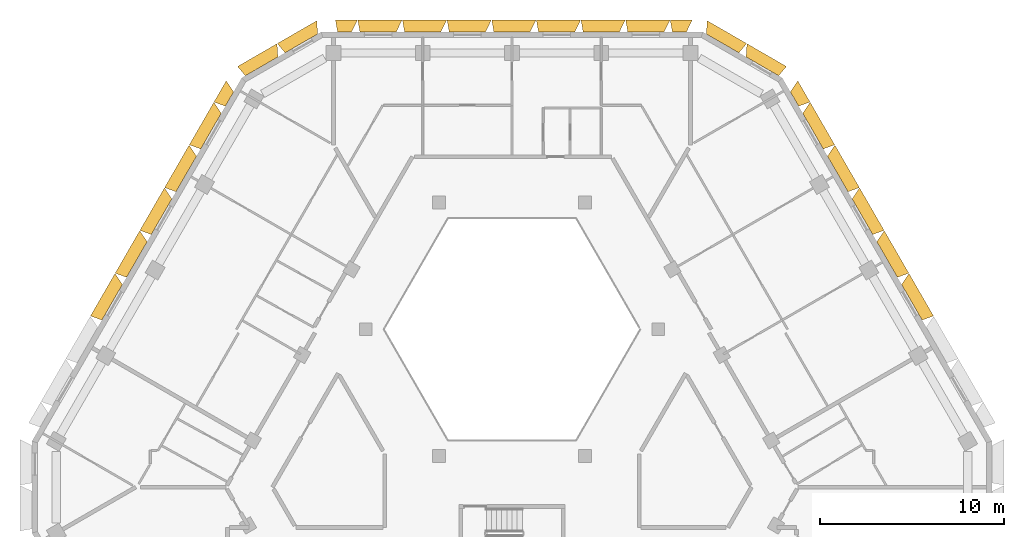
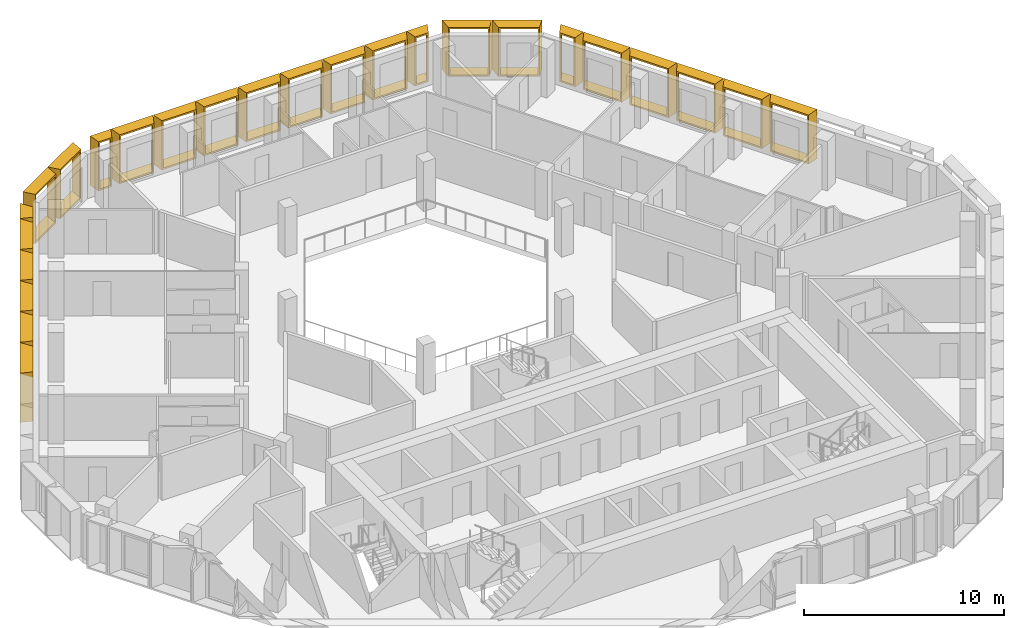
# One storey, part 15 of 15: 25 shading devices.
"""IFC4 building model written with IfcOpenShell, lengths in metres."""

from ifc_helpers import new_model, entity, si_unit, direction, frame, origin, place, context, subcontext, project, spatial, source, transform, mapped, material, type_object, type_shapes, element, save


model = new_model("IFC4")

# Units and contexts
model_context = context("Model", 3, precision=1e-05, world=origin(), true_north=direction((0.0, 1.0)))
body_context = subcontext(model_context, "Body", "Model", "MODEL_VIEW")
ifc_project = project(units=[si_unit("LENGTHUNIT", "METRE"), si_unit("AREAUNIT", "SQUARE_METRE"), si_unit("VOLUMEUNIT", "CUBIC_METRE"), si_unit("PLANEANGLEUNIT", "RADIAN"), si_unit("MASSUNIT", "GRAM", prefix="KILO")], contexts=[model_context])

# Site, building, storey
site_placement = place(None, origin())
site = spatial("IfcSite", under=ifc_project, at=site_placement, CompositionType="ELEMENT")
building_placement = place(site_placement, origin())
building = spatial("IfcBuilding", under=site, at=building_placement, Name="Beryl Residences", CompositionType="ELEMENT")
storey_placement = place(building_placement, frame((0.0, 0.0, 187.199951171875)))
storey = spatial("IfcBuildingStorey", under=building, at=storey_placement, Name="L57", CompositionType="ELEMENT", Elevation=187.199951171875)

# Shading devices
ifc_material_1 = material(Name="Aluminium pale anodised", Category="aluminium")
shading_device_type_1 = type_object("IfcShadingDeviceType", Name="FR122-65B OUTER SKIN frame 650 mm deep, splay 26/10 deg, 1220 x 3000 mm cell", PredefinedType="USERDEFINED", material=ifc_material_1)
cartesian_point_1 = entity("IfcCartesianPoint", [-0.384033203125, 0.0])
cartesian_point_2 = entity("IfcCartesianPoint", [-0.294921875, 0.10009765625])
cartesian_point_3 = entity("IfcCartesianPoint", [-0.700927734375, 0.0])
cartesian_point_4 = entity("IfcCartesianPoint", [-0.612060546875, 0.10009765625])
shared_shape_1 = source(origin(), body_context, "Body", "SweptSolid", [
    entity("IfcExtrudedAreaSolidTapered", entity("IfcArbitraryProfileDefWithVoids", "AREA", None, entity("IfcPolyline", [cartesian_point_1, entity("IfcCartesianPoint", [0.384033203125, 0.0]), entity("IfcCartesianPoint", [0.384033203125, 3.0]), entity("IfcCartesianPoint", [-0.384033203125, 3.0]), cartesian_point_1]), [entity("IfcPolyline", [cartesian_point_2, entity("IfcCartesianPoint", [0.302734375, 0.10009765625]), entity("IfcCartesianPoint", [0.302734375, 2.89990234375]), entity("IfcCartesianPoint", [-0.294921875, 2.89990234375]), cartesian_point_2])]), entity("IfcAxis2Placement3D", entity("IfcCartesianPoint", [0.0, 0.0, 0.0]), entity("IfcDirection", [0.0, 1.0, 0.0]), entity("IfcDirection", [-1.0, 0.0, 0.0])), entity("IfcDirection", [0.0, 0.0, 1.0]), 0.64990234375, entity("IfcArbitraryProfileDefWithVoids", "AREA", None, entity("IfcPolyline", [cartesian_point_3, entity("IfcCartesianPoint", [0.49853515625, 0.0]), entity("IfcCartesianPoint", [0.49853515625, 3.0]), entity("IfcCartesianPoint", [-0.700927734375, 3.0]), cartesian_point_3]), [entity("IfcPolyline", [cartesian_point_4, entity("IfcCartesianPoint", [0.41748046875, 0.10009765625]), entity("IfcCartesianPoint", [0.41748046875, 2.89990234375]), entity("IfcCartesianPoint", [-0.612060546875, 2.89990234375]), cartesian_point_4])])),
])
type_shapes(shading_device_type_1, [shared_shape_1])
for number, where, z_axis, x_axis, name in (
    (1, (9.1201171875, 24.199951171875, 0.0), (0.0, 0.0, 1.0), (1.0, 0.0, 0.0), "FR122-65B frame L57 N 1"),
    (2, (-9.1201171875, 24.199951171875, 0.0), (0.0, 0.0, 1.0), (1.0, 0.0, 0.0), "FR122-65B frame L57 N 9"),
):
    element("IfcShadingDevice", number, at=place(storey_placement, frame(where, z_axis=z_axis, x_axis=x_axis)), inside=storey, type_object=shading_device_type_1, Name=name, ObjectType="OUTER SKIN", PredefinedType="USERDEFINED", context=body_context, shape_type="MappedRepresentation", body=[
        mapped(shared_shape_1, transform((0.0, 0.0, 0.0))),
    ])
ifc_material_2 = material(Name="Aluminium pale anodised", Category="aluminium")
shading_device_type_2 = type_object("IfcShadingDeviceType", Name="FR135-65B OUTER SKIN frame 650 mm deep, splay 26/10 deg, 1350 x 3000 mm cell", PredefinedType="USERDEFINED", material=ifc_material_2)
cartesian_point_5 = entity("IfcCartesianPoint", [-0.448974609375, 0.0])
cartesian_point_6 = entity("IfcCartesianPoint", [-0.360107421875, 0.10009765625])
cartesian_point_7 = entity("IfcCartesianPoint", [-0.76611328125, 0.0])
cartesian_point_8 = entity("IfcCartesianPoint", [-0.677001953125, 0.10009765625])
shared_shape_2 = source(origin(), body_context, "Body", "SweptSolid", [
    entity("IfcExtrudedAreaSolidTapered", entity("IfcArbitraryProfileDefWithVoids", "AREA", None, entity("IfcPolyline", [cartesian_point_5, entity("IfcCartesianPoint", [0.448974609375, 0.0]), entity("IfcCartesianPoint", [0.448974609375, 3.0]), entity("IfcCartesianPoint", [-0.448974609375, 3.0]), cartesian_point_5]), [entity("IfcPolyline", [cartesian_point_6, entity("IfcCartesianPoint", [0.36767578125, 0.10009765625]), entity("IfcCartesianPoint", [0.36767578125, 2.89990234375]), entity("IfcCartesianPoint", [-0.360107421875, 2.89990234375]), cartesian_point_6])]), entity("IfcAxis2Placement3D", entity("IfcCartesianPoint", [0.0, 0.0, 0.0]), entity("IfcDirection", [0.0, 1.0, 0.0]), entity("IfcDirection", [-1.0, 0.0, 0.0])), entity("IfcDirection", [0.0, 0.0, 1.0]), 0.64990234375, entity("IfcArbitraryProfileDefWithVoids", "AREA", None, entity("IfcPolyline", [cartesian_point_7, entity("IfcCartesianPoint", [0.563720703125, 0.0]), entity("IfcCartesianPoint", [0.563720703125, 3.0]), entity("IfcCartesianPoint", [-0.76611328125, 3.0]), cartesian_point_7]), [entity("IfcPolyline", [cartesian_point_8, entity("IfcCartesianPoint", [0.482421875, 0.10009765625]), entity("IfcCartesianPoint", [0.482421875, 2.89990234375]), entity("IfcCartesianPoint", [-0.677001953125, 2.89990234375]), cartesian_point_8])])),
])
type_shapes(shading_device_type_2, [shared_shape_2])
shading_device_1_placement = place(storey_placement, frame((-15.39111328125, 20.54296875, 0.0), z_axis=(0.0, 0.0, 1.0), x_axis=(0.5, 0.866025403784, 0.0)))
element("IfcShadingDevice", 3, at=shading_device_1_placement, inside=storey, type_object=shading_device_type_2, Name="FR135-65B frame L57 NW 1", ObjectType="OUTER SKIN", PredefinedType="USERDEFINED", context=body_context, shape_type="MappedRepresentation", body=[
    mapped(shared_shape_2, transform((0.0, 0.0, 0.0))),
])
ifc_material_3 = material(Name="Aluminium pale anodised", Category="aluminium")
shading_device_type_3 = type_object("IfcShadingDeviceType", Name="FR135-65C OUTER SKIN frame 650 mm deep, splay 10/26 deg, 1350 x 3000 mm cell", PredefinedType="USERDEFINED", material=ifc_material_3)
cartesian_point_9 = entity("IfcCartesianPoint", [-0.448974609375, 0.0])
cartesian_point_10 = entity("IfcCartesianPoint", [-0.36767578125, 0.10009765625])
cartesian_point_11 = entity("IfcCartesianPoint", [-0.563720703125, 0.0])
cartesian_point_12 = entity("IfcCartesianPoint", [-0.482421875, 0.10009765625])
shared_shape_3 = source(origin(), body_context, "Body", "SweptSolid", [
    entity("IfcExtrudedAreaSolidTapered", entity("IfcArbitraryProfileDefWithVoids", "AREA", None, entity("IfcPolyline", [cartesian_point_9, entity("IfcCartesianPoint", [0.448974609375, 0.0]), entity("IfcCartesianPoint", [0.448974609375, 3.0]), entity("IfcCartesianPoint", [-0.448974609375, 3.0]), cartesian_point_9]), [entity("IfcPolyline", [cartesian_point_10, entity("IfcCartesianPoint", [0.360107421875, 0.10009765625]), entity("IfcCartesianPoint", [0.360107421875, 2.89990234375]), entity("IfcCartesianPoint", [-0.36767578125, 2.89990234375]), cartesian_point_10])]), entity("IfcAxis2Placement3D", entity("IfcCartesianPoint", [0.0, 0.0, 0.0]), entity("IfcDirection", [0.0, 1.0, 0.0]), entity("IfcDirection", [-1.0, 0.0, 0.0])), entity("IfcDirection", [0.0, 0.0, 1.0]), 0.64990234375, entity("IfcArbitraryProfileDefWithVoids", "AREA", None, entity("IfcPolyline", [cartesian_point_11, entity("IfcCartesianPoint", [0.76611328125, 0.0]), entity("IfcCartesianPoint", [0.76611328125, 3.0]), entity("IfcCartesianPoint", [-0.563720703125, 3.0]), cartesian_point_11]), [entity("IfcPolyline", [cartesian_point_12, entity("IfcCartesianPoint", [0.677001953125, 0.10009765625]), entity("IfcCartesianPoint", [0.677001953125, 2.89990234375]), entity("IfcCartesianPoint", [-0.482421875, 2.89990234375]), cartesian_point_12])])),
])
type_shapes(shading_device_type_3, [shared_shape_3])
shading_device_2_placement = place(storey_placement, frame((15.39111328125, 20.54296875, 0.0), z_axis=(0.0, 0.0, 1.0), x_axis=(0.5, -0.866025403784, 0.0)))
element("IfcShadingDevice", 4, at=shading_device_2_placement, inside=storey, type_object=shading_device_type_3, Name="FR135-65C frame L57 NE 9", ObjectType="OUTER SKIN", PredefinedType="USERDEFINED", context=body_context, shape_type="MappedRepresentation", body=[
    mapped(shared_shape_3, transform((0.0, 0.0, 0.0))),
])
ifc_material_4 = material(Name="Aluminium pale anodised", Category="aluminium")
shading_device_type_4 = type_object("IfcShadingDeviceType", Name="FR243-65B OUTER SKIN frame 650 mm deep, splay 26/10 deg, 2430 x 3000 mm cell", PredefinedType="USERDEFINED", material=ifc_material_4)
cartesian_point_13 = entity("IfcCartesianPoint", [-0.989013671875, 0.0])
cartesian_point_14 = entity("IfcCartesianPoint", [-0.89990234375, 0.10009765625])
cartesian_point_15 = entity("IfcCartesianPoint", [-1.305908203125, 0.0])
cartesian_point_16 = entity("IfcCartesianPoint", [-1.217041015625, 0.10009765625])
shared_shape_4 = source(origin(), body_context, "Body", "SweptSolid", [
    entity("IfcExtrudedAreaSolidTapered", entity("IfcArbitraryProfileDefWithVoids", "AREA", None, entity("IfcPolyline", [cartesian_point_13, entity("IfcCartesianPoint", [0.989013671875, 0.0]), entity("IfcCartesianPoint", [0.989013671875, 3.0]), entity("IfcCartesianPoint", [-0.989013671875, 3.0]), cartesian_point_13]), [entity("IfcPolyline", [cartesian_point_14, entity("IfcCartesianPoint", [0.90771484375, 0.10009765625]), entity("IfcCartesianPoint", [0.90771484375, 2.89990234375]), entity("IfcCartesianPoint", [-0.89990234375, 2.89990234375]), cartesian_point_14])]), entity("IfcAxis2Placement3D", entity("IfcCartesianPoint", [0.0, 0.0, 0.0]), entity("IfcDirection", [0.0, 1.0, 0.0]), entity("IfcDirection", [-1.0, 0.0, 0.0])), entity("IfcDirection", [0.0, 0.0, 1.0]), 0.64990234375, entity("IfcArbitraryProfileDefWithVoids", "AREA", None, entity("IfcPolyline", [cartesian_point_15, entity("IfcCartesianPoint", [1.103515625, 0.0]), entity("IfcCartesianPoint", [1.103515625, 3.0]), entity("IfcCartesianPoint", [-1.305908203125, 3.0]), cartesian_point_15]), [entity("IfcPolyline", [cartesian_point_16, entity("IfcCartesianPoint", [1.0224609375, 0.10009765625]), entity("IfcCartesianPoint", [1.0224609375, 2.89990234375]), entity("IfcCartesianPoint", [-1.217041015625, 2.89990234375]), cartesian_point_16])])),
])
type_shapes(shading_device_type_4, [shared_shape_4])
for number, where, z_axis, x_axis, name in (
    (5, (7.2958984375, 24.199951171875, 0.0), (0.0, 0.0, 1.0), (1.0, 0.0, 0.0), "FR243-65B frame L57 N 2"),
    (6, (4.864013671875, 24.199951171875, 0.0), (0.0, 0.0, 1.0), (1.0, 0.0, 0.0), "FR243-65B frame L57 N 3"),
    (7, (2.431884765625, 24.199951171875, 0.0), (0.0, 0.0, 1.0), (1.0, 0.0, 0.0), "FR243-65B frame L57 N 4"),
    (8, (0.0, 24.199951171875, 0.0), (0.0, 0.0, 1.0), (1.0, 0.0, 0.0), "FR243-65B frame L57 N 5"),
    (9, (-2.431884765625, 24.199951171875, 0.0), (0.0, 0.0, 1.0), (1.0, 0.0, 0.0), "FR243-65B frame L57 N 6"),
    (10, (-4.864013671875, 24.199951171875, 0.0), (0.0, 0.0, 1.0), (1.0, 0.0, 0.0), "FR243-65B frame L57 N 7"),
    (11, (-7.2958984375, 24.199951171875, 0.0), (0.0, 0.0, 1.0), (1.0, 0.0, 0.0), "FR243-65B frame L57 N 8"),
):
    element("IfcShadingDevice", number, at=place(storey_placement, frame(where, z_axis=z_axis, x_axis=x_axis)), inside=storey, type_object=shading_device_type_4, Name=name, ObjectType="OUTER SKIN", PredefinedType="USERDEFINED", context=body_context, shape_type="MappedRepresentation", body=[
        mapped(shared_shape_4, transform((0.0, 0.0, 0.0))),
    ])
ifc_material_5 = material(Name="Aluminium pale anodised", Category="aluminium")
shading_device_type_5 = type_object("IfcShadingDeviceType", Name="FR250-65B OUTER SKIN frame 650 mm deep, splay 26/10 deg, 2500 x 3000 mm cell", PredefinedType="USERDEFINED", material=ifc_material_5)
cartesian_point_17 = entity("IfcCartesianPoint", [-1.02392578125, 0.0])
cartesian_point_18 = entity("IfcCartesianPoint", [-0.93505859375, 0.10009765625])
cartesian_point_19 = entity("IfcCartesianPoint", [-1.341064453125, 0.0])
cartesian_point_20 = entity("IfcCartesianPoint", [-1.251953125, 0.10009765625])
shared_shape_5 = source(origin(), body_context, "Body", "SweptSolid", [
    entity("IfcExtrudedAreaSolidTapered", entity("IfcArbitraryProfileDefWithVoids", "AREA", None, entity("IfcPolyline", [cartesian_point_17, entity("IfcCartesianPoint", [1.02392578125, 0.0]), entity("IfcCartesianPoint", [1.02392578125, 3.0]), entity("IfcCartesianPoint", [-1.02392578125, 3.0]), cartesian_point_17]), [entity("IfcPolyline", [cartesian_point_18, entity("IfcCartesianPoint", [0.94287109375, 0.10009765625]), entity("IfcCartesianPoint", [0.94287109375, 2.89990234375]), entity("IfcCartesianPoint", [-0.93505859375, 2.89990234375]), cartesian_point_18])]), entity("IfcAxis2Placement3D", entity("IfcCartesianPoint", [0.0, 0.0, 0.0]), entity("IfcDirection", [0.0, 1.0, 0.0]), entity("IfcDirection", [-1.0, 0.0, 0.0])), entity("IfcDirection", [0.0, 0.0, 1.0]), 0.64990234375, entity("IfcArbitraryProfileDefWithVoids", "AREA", None, entity("IfcPolyline", [cartesian_point_19, entity("IfcCartesianPoint", [1.138671875, 0.0]), entity("IfcCartesianPoint", [1.138671875, 3.0]), entity("IfcCartesianPoint", [-1.341064453125, 3.0]), cartesian_point_19]), [entity("IfcPolyline", [cartesian_point_20, entity("IfcCartesianPoint", [1.057373046875, 0.10009765625]), entity("IfcCartesianPoint", [1.057373046875, 2.89990234375]), entity("IfcCartesianPoint", [-1.251953125, 2.89990234375]), cartesian_point_20])])),
])
type_shapes(shading_device_type_5, [shared_shape_5])
for number, where, z_axis, x_axis, name in (
    (12, (-11.47412109375, 23.574951171875, 0.0), (0.0, 0.0, 1.0), (0.866025403784, 0.5, 0.0), "FR250-65B frame L57 N-NW 1"),
    (13, (-13.638916015625, 22.324951171875, 0.0), (0.0, 0.0, 1.0), (0.866025403784, 0.5, 0.0), "FR250-65B frame L57 N-NW 2"),
):
    element("IfcShadingDevice", number, at=place(storey_placement, frame(where, z_axis=z_axis, x_axis=x_axis)), inside=storey, type_object=shading_device_type_5, Name=name, ObjectType="OUTER SKIN", PredefinedType="USERDEFINED", context=body_context, shape_type="MappedRepresentation", body=[
        mapped(shared_shape_5, transform((0.0, 0.0, 0.0))),
    ])
ifc_material_6 = material(Name="Aluminium pale anodised", Category="aluminium")
shading_device_type_6 = type_object("IfcShadingDeviceType", Name="FR250-65C OUTER SKIN frame 650 mm deep, splay 10/26 deg, 2500 x 3000 mm cell", PredefinedType="USERDEFINED", material=ifc_material_6)
cartesian_point_21 = entity("IfcCartesianPoint", [-1.02392578125, 0.0])
cartesian_point_22 = entity("IfcCartesianPoint", [-0.94287109375, 0.10009765625])
cartesian_point_23 = entity("IfcCartesianPoint", [-1.138671875, 0.0])
cartesian_point_24 = entity("IfcCartesianPoint", [-1.057373046875, 0.10009765625])
shared_shape_6 = source(origin(), body_context, "Body", "SweptSolid", [
    entity("IfcExtrudedAreaSolidTapered", entity("IfcArbitraryProfileDefWithVoids", "AREA", None, entity("IfcPolyline", [cartesian_point_21, entity("IfcCartesianPoint", [1.02392578125, 0.0]), entity("IfcCartesianPoint", [1.02392578125, 3.0]), entity("IfcCartesianPoint", [-1.02392578125, 3.0]), cartesian_point_21]), [entity("IfcPolyline", [cartesian_point_22, entity("IfcCartesianPoint", [0.93505859375, 0.10009765625]), entity("IfcCartesianPoint", [0.93505859375, 2.89990234375]), entity("IfcCartesianPoint", [-0.94287109375, 2.89990234375]), cartesian_point_22])]), entity("IfcAxis2Placement3D", entity("IfcCartesianPoint", [0.0, 0.0, 0.0]), entity("IfcDirection", [0.0, 1.0, 0.0]), entity("IfcDirection", [-1.0, 0.0, 0.0])), entity("IfcDirection", [0.0, 0.0, 1.0]), 0.64990234375, entity("IfcArbitraryProfileDefWithVoids", "AREA", None, entity("IfcPolyline", [cartesian_point_23, entity("IfcCartesianPoint", [1.341064453125, 0.0]), entity("IfcCartesianPoint", [1.341064453125, 3.0]), entity("IfcCartesianPoint", [-1.138671875, 3.0]), cartesian_point_23]), [entity("IfcPolyline", [cartesian_point_24, entity("IfcCartesianPoint", [1.251953125, 0.10009765625]), entity("IfcCartesianPoint", [1.251953125, 2.89990234375]), entity("IfcCartesianPoint", [-1.057373046875, 2.89990234375]), cartesian_point_24])])),
])
type_shapes(shading_device_type_6, [shared_shape_6])
for number, where, z_axis, x_axis, name in (
    (14, (13.638916015625, 22.324951171875, 0.0), (0.0, 0.0, 1.0), (0.866025403784, -0.5, 0.0), "FR250-65C frame L57 NE-N 1"),
    (15, (11.47412109375, 23.574951171875, 0.0), (0.0, 0.0, 1.0), (0.866025403784, -0.5, 0.0), "FR250-65C frame L57 NE-N 2"),
):
    element("IfcShadingDevice", number, at=place(storey_placement, frame(where, z_axis=z_axis, x_axis=x_axis)), inside=storey, type_object=shading_device_type_6, Name=name, ObjectType="OUTER SKIN", PredefinedType="USERDEFINED", context=body_context, shape_type="MappedRepresentation", body=[
        mapped(shared_shape_6, transform((0.0, 0.0, 0.0))),
    ])
ifc_material_7 = material(Name="Aluminium pale anodised", Category="aluminium")
shading_device_type_7 = type_object("IfcShadingDeviceType", Name="FR269-65B OUTER SKIN frame 650 mm deep, splay 26/10 deg, 2690 x 3000 mm cell", PredefinedType="USERDEFINED", material=ifc_material_7)
cartesian_point_25 = entity("IfcCartesianPoint", [-1.118896484375, 0.0])
cartesian_point_26 = entity("IfcCartesianPoint", [-1.030029296875, 0.10009765625])
cartesian_point_27 = entity("IfcCartesianPoint", [-1.43603515625, 0.0])
cartesian_point_28 = entity("IfcCartesianPoint", [-1.346923828125, 0.10009765625])
shared_shape_7 = source(origin(), body_context, "Body", "SweptSolid", [
    entity("IfcExtrudedAreaSolidTapered", entity("IfcArbitraryProfileDefWithVoids", "AREA", None, entity("IfcPolyline", [cartesian_point_25, entity("IfcCartesianPoint", [1.118896484375, 0.0]), entity("IfcCartesianPoint", [1.118896484375, 3.0]), entity("IfcCartesianPoint", [-1.118896484375, 3.0]), cartesian_point_25]), [entity("IfcPolyline", [cartesian_point_26, entity("IfcCartesianPoint", [1.037841796875, 0.10009765625]), entity("IfcCartesianPoint", [1.037841796875, 2.89990234375]), entity("IfcCartesianPoint", [-1.030029296875, 2.89990234375]), cartesian_point_26])]), entity("IfcAxis2Placement3D", entity("IfcCartesianPoint", [0.0, 0.0, 0.0]), entity("IfcDirection", [0.0, 1.0, 0.0]), entity("IfcDirection", [-1.0, 0.0, 0.0])), entity("IfcDirection", [0.0, 0.0, 1.0]), 0.64990234375, entity("IfcArbitraryProfileDefWithVoids", "AREA", None, entity("IfcPolyline", [cartesian_point_27, entity("IfcCartesianPoint", [1.233642578125, 0.0]), entity("IfcCartesianPoint", [1.233642578125, 3.0]), entity("IfcCartesianPoint", [-1.43603515625, 3.0]), cartesian_point_27]), [entity("IfcPolyline", [cartesian_point_28, entity("IfcCartesianPoint", [1.15234375, 0.10009765625]), entity("IfcCartesianPoint", [1.15234375, 2.89990234375]), entity("IfcCartesianPoint", [-1.346923828125, 2.89990234375]), cartesian_point_28])])),
])
type_shapes(shading_device_type_7, [shared_shape_7])
for number, where, z_axis, x_axis, name in (
    (16, (-16.39990234375, 18.7939453125, 0.0), (0.0, 0.0, 1.0), (0.5, 0.866025403784, 0.0), "FR269-65B frame L57 NW 2"),
    (17, (-17.74609375, 16.462890625, 0.0), (0.0, 0.0, 1.0), (0.5, 0.866025403784, 0.0), "FR269-65B frame L57 NW 3"),
    (18, (-19.092041015625, 14.131103515625, 0.0), (0.0, 0.0, 1.0), (0.5, 0.866025403784, 0.0), "FR269-65B frame L57 NW 4"),
    (19, (-20.43798828125, 11.800048828125, 0.0), (0.0, 0.0, 1.0), (0.5, 0.866025403784, 0.0), "FR269-65B frame L57 NW 5"),
    (20, (-21.783935546875, 9.468994140625, 0.0), (0.0, 0.0, 1.0), (0.5, 0.866025403784, 0.0), "FR269-65B frame L57 NW 6"),
):
    element("IfcShadingDevice", number, at=place(storey_placement, frame(where, z_axis=z_axis, x_axis=x_axis)), inside=storey, type_object=shading_device_type_7, Name=name, ObjectType="OUTER SKIN", PredefinedType="USERDEFINED", context=body_context, shape_type="MappedRepresentation", body=[
        mapped(shared_shape_7, transform((0.0, 0.0, 0.0))),
    ])
ifc_material_8 = material(Name="Aluminium pale anodised", Category="aluminium")
shading_device_type_8 = type_object("IfcShadingDeviceType", Name="FR269-65C OUTER SKIN frame 650 mm deep, splay 10/26 deg, 2690 x 3000 mm cell", PredefinedType="USERDEFINED", material=ifc_material_8)
cartesian_point_29 = entity("IfcCartesianPoint", [-1.118896484375, 0.0])
cartesian_point_30 = entity("IfcCartesianPoint", [-1.037841796875, 0.10009765625])
cartesian_point_31 = entity("IfcCartesianPoint", [-1.233642578125, 0.0])
cartesian_point_32 = entity("IfcCartesianPoint", [-1.15234375, 0.10009765625])
shared_shape_8 = source(origin(), body_context, "Body", "SweptSolid", [
    entity("IfcExtrudedAreaSolidTapered", entity("IfcArbitraryProfileDefWithVoids", "AREA", None, entity("IfcPolyline", [cartesian_point_29, entity("IfcCartesianPoint", [1.118896484375, 0.0]), entity("IfcCartesianPoint", [1.118896484375, 3.0]), entity("IfcCartesianPoint", [-1.118896484375, 3.0]), cartesian_point_29]), [entity("IfcPolyline", [cartesian_point_30, entity("IfcCartesianPoint", [1.030029296875, 0.10009765625]), entity("IfcCartesianPoint", [1.030029296875, 2.89990234375]), entity("IfcCartesianPoint", [-1.037841796875, 2.89990234375]), cartesian_point_30])]), entity("IfcAxis2Placement3D", entity("IfcCartesianPoint", [0.0, 0.0, 0.0]), entity("IfcDirection", [0.0, 1.0, 0.0]), entity("IfcDirection", [-1.0, 0.0, 0.0])), entity("IfcDirection", [0.0, 0.0, 1.0]), 0.64990234375, entity("IfcArbitraryProfileDefWithVoids", "AREA", None, entity("IfcPolyline", [cartesian_point_31, entity("IfcCartesianPoint", [1.43603515625, 0.0]), entity("IfcCartesianPoint", [1.43603515625, 3.0]), entity("IfcCartesianPoint", [-1.233642578125, 3.0]), cartesian_point_31]), [entity("IfcPolyline", [cartesian_point_32, entity("IfcCartesianPoint", [1.346923828125, 0.10009765625]), entity("IfcCartesianPoint", [1.346923828125, 2.89990234375]), entity("IfcCartesianPoint", [-1.15234375, 2.89990234375]), cartesian_point_32])])),
])
type_shapes(shading_device_type_8, [shared_shape_8])
for number, where, z_axis, x_axis, name in (
    (21, (21.783935546875, 9.468994140625, 0.0), (0.0, 0.0, 1.0), (0.5, -0.866025403784, 0.0), "FR269-65C frame L57 NE 4"),
    (22, (20.43798828125, 11.800048828125, 0.0), (0.0, 0.0, 1.0), (0.5, -0.866025403784, 0.0), "FR269-65C frame L57 NE 5"),
    (23, (19.092041015625, 14.131103515625, 0.0), (0.0, 0.0, 1.0), (0.5, -0.866025403784, 0.0), "FR269-65C frame L57 NE 6"),
    (24, (17.74609375, 16.462890625, 0.0), (0.0, 0.0, 1.0), (0.5, -0.866025403784, 0.0), "FR269-65C frame L57 NE 7"),
    (25, (16.39990234375, 18.7939453125, 0.0), (0.0, 0.0, 1.0), (0.5, -0.866025403784, 0.0), "FR269-65C frame L57 NE 8"),
):
    element("IfcShadingDevice", number, at=place(storey_placement, frame(where, z_axis=z_axis, x_axis=x_axis)), inside=storey, type_object=shading_device_type_8, Name=name, ObjectType="OUTER SKIN", PredefinedType="USERDEFINED", context=body_context, shape_type="MappedRepresentation", body=[
        mapped(shared_shape_8, transform((0.0, 0.0, 0.0))),
    ])

save(model, "model.ifc")
